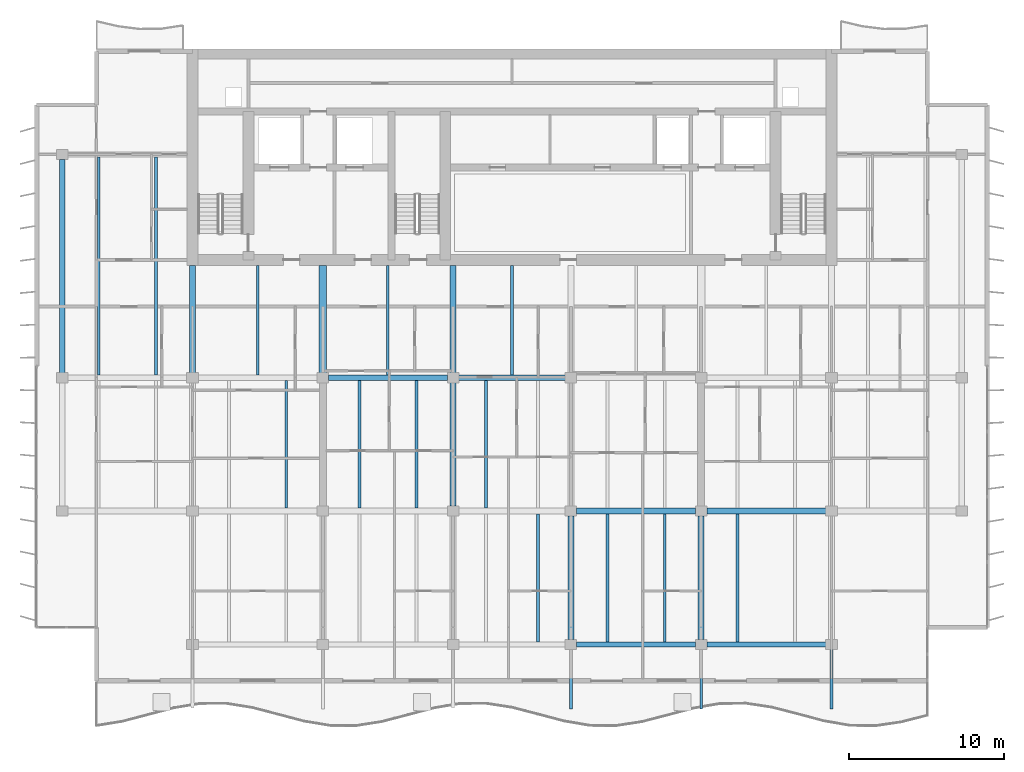
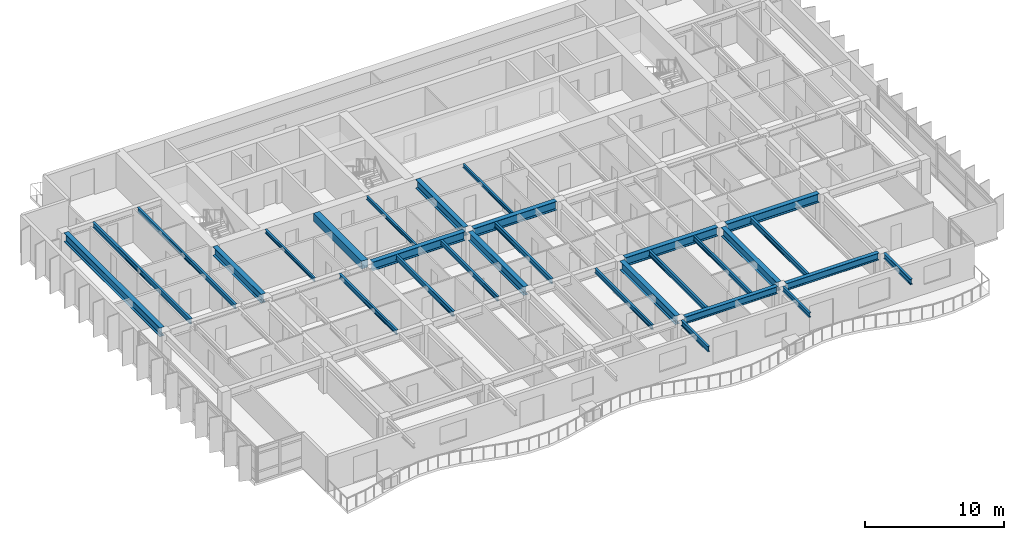
# One storey, part 3 of 17: 29 beams.
"""IFC4 building model written with IfcOpenShell, lengths in metres."""

import ifcopenshell
import ifcopenshell.guid

model = None  # the IFC model being written
_history = None  # IfcOwnerHistory: only IFC2X3 demands one
_inside = {}  # id of a spatial element -> (the spatial element, [elements in it])
_under = {}  # id of a project, library or spatial element -> (it, [spatial elements below it])
_declared = {}  # id of a project -> (the project, [libraries it declares])
_typed = {}  # id of a type object -> (the type object, [elements of that type])
_made_of = {}  # id of a material, layer set ... -> (it, [elements and type objects made of it])


def new_model(schema):
    """Start an empty IFC model of exactly this schema.

    Asked for "IFC4X3", IfcOpenShell would pick the latest addendum, in which some entities
    have other attributes; the version numbers below select the first issue.
    IFC2X3 requires an IfcOwnerHistory on every rooted entity: one is made here for all.
    """
    global model, _history
    if schema == "IFC4X3":
        model = ifcopenshell.file(schema_version=(4, 3, 0, 0))
    else:
        model = ifcopenshell.file(schema=schema)
    _inside.clear()
    _under.clear()
    _declared.clear()
    _typed.clear()
    _made_of.clear()
    _history = None
    if model.schema == "IFC2X3":
        org = make("IfcOrganization", Name="unknown")
        user = make(
            "IfcPersonAndOrganization",
            ThePerson=make("IfcPerson", FamilyName="unknown"),
            TheOrganization=org,
        )
        app = make(
            "IfcApplication",
            ApplicationDeveloper=org,
            Version="unknown",
            ApplicationFullName="unknown",
            ApplicationIdentifier="unknown",
        )
        _history = make(
            "IfcOwnerHistory",
            OwningUser=user,
            OwningApplication=app,
            ChangeAction="ADDED",
            CreationDate=0,
        )
    return model


def make(cls, **values):
    """One entity of the class cls with the attributes given. An attribute that is None is left unset."""
    return model.create_entity(
        cls, **{name: value for name, value in values.items() if value is not None}
    )


def rooted(cls, **values):
    """An entity with a GlobalId (a new one), such as an element, a storey or a relation."""
    return make(cls, GlobalId=ifcopenshell.guid.new(), OwnerHistory=_history, **values)


def si_unit(unit_type, name, prefix=None):
    """IfcSIUnit, for example si_unit("LENGTHUNIT", "METRE", prefix="MILLI")."""
    return make("IfcSIUnit", UnitType=unit_type, Prefix=prefix, Name=name)


def assignment(units):
    """IfcUnitAssignment: the units of a project."""
    return None if units is None else make("IfcUnitAssignment", Units=units)


def point(xyz):
    """IfcCartesianPoint."""
    return None if xyz is None else make("IfcCartesianPoint", Coordinates=xyz)


def direction(xyz):
    """IfcDirection."""
    return None if xyz is None else make("IfcDirection", DirectionRatios=xyz)


def frame(location, z_axis=None, x_axis=None):
    """IfcAxis2Placement3D, a coordinate frame: its origin and axes. An axis left out is left unset."""
    return make(
        "IfcAxis2Placement3D",
        Location=point(location),
        Axis=direction(z_axis),
        RefDirection=direction(x_axis),
    )


def frame_2d(location, x_axis=None):
    """IfcAxis2Placement2D, a coordinate frame in the plane: its origin and x axis."""
    return make(
        "IfcAxis2Placement2D", Location=point(location), RefDirection=direction(x_axis)
    )


def origin():
    """The frame at (0, 0, 0) with its axes left unset."""
    return frame((0.0, 0.0, 0.0))


def origin_2d():
    """The frame at (0, 0) in the plane with its x axis left unset."""
    return frame_2d((0.0, 0.0))


def place(relative_to, where):
    """IfcLocalPlacement: puts the frame where relative to a parent placement (None: the world)."""
    return make(
        "IfcLocalPlacement", PlacementRelTo=relative_to, RelativePlacement=where
    )


def context(
    kind, dimensions, precision=None, world=None, true_north=None, identifier=None
):
    """IfcGeometricRepresentationContext, for example the 3D "Model" context."""
    return make(
        "IfcGeometricRepresentationContext",
        ContextIdentifier=identifier,
        ContextType=kind,
        CoordinateSpaceDimension=dimensions,
        Precision=precision,
        WorldCoordinateSystem=world,
        TrueNorth=true_north,
    )


def subcontext(parent, identifier, kind, view, scale=None):
    """IfcGeometricRepresentationSubContext, for example "Body" below "Model"."""
    return make(
        "IfcGeometricRepresentationSubContext",
        ContextIdentifier=identifier,
        ContextType=kind,
        ParentContext=parent,
        TargetScale=scale,
        TargetView=view,
    )


def project(units=None, contexts=None):
    """IfcProject with its units and contexts."""
    return rooted(
        "IfcProject",
        Name="project",
        RepresentationContexts=contexts,
        UnitsInContext=assignment(units),
    )


def spatial(cls, under=None, at=None, **own):
    """A site, building, storey or space (cls), placed at a placement, below another one or the project."""
    s = rooted(cls, ObjectPlacement=at, **own)
    if under is not None:
        _under.setdefault(under.id(), (under, []))[1].append(s)
    return s


def profile(cls, at=None, kind="AREA", **sizes):
    """A parametric profile (cls). Its sizes go by their IFC names, for example OverallWidth=200.0."""
    return make(cls, ProfileType=kind, Position=at, **sizes)


def rectangle(**sizes):
    """IfcRectangleProfileDef."""
    return profile("IfcRectangleProfileDef", **sizes)


def i_section(**sizes):
    """IfcIShapeProfileDef."""
    return profile("IfcIShapeProfileDef", **sizes)


def extrude(swept, where, along, depth):
    """IfcExtrudedAreaSolid: the profile swept, set in the frame where, extruded along a direction by depth."""
    return make(
        "IfcExtrudedAreaSolid",
        SweptArea=swept,
        Position=where,
        ExtrudedDirection=direction(along),
        Depth=depth,
    )


def shape(context_of_items, identifier, shape_type, items):
    """IfcShapeRepresentation: the items that make up one representation, for example the "Body"."""
    return make(
        "IfcShapeRepresentation",
        ContextOfItems=context_of_items,
        RepresentationIdentifier=identifier,
        RepresentationType=shape_type,
        Items=items,
    )


def material(Name=None, Category=None):
    """IfcMaterial."""
    return make("IfcMaterial", Name=Name, Category=Category)


def material_profile(
    of_material, cross_section, Name=None, Category=None, Priority=None
):
    """IfcMaterialProfile: a cross section and its material."""
    return make(
        "IfcMaterialProfile",
        Name=Name,
        Material=of_material,
        Profile=cross_section,
        Priority=Priority,
        Category=Category,
    )


def profile_set(profiles, Name=None, composite=None):
    """IfcMaterialProfileSet."""
    return make(
        "IfcMaterialProfileSet",
        Name=Name,
        MaterialProfiles=profiles,
        CompositeProfile=composite,
    )


def made_of(thing, what):
    """Note that an element or type object is made of a material, layer set ...; save() writes the relation."""
    if what is not None:
        _made_of.setdefault(what.id(), (what, []))[1].append(thing)
    return thing


def type_object(cls, material=None, **own):
    """A type object (cls), such as IfcWallType, which elements share."""
    return made_of(rooted(cls, **own), material)


def element(
    cls,
    number,
    at=None,
    inside=None,
    cuts=None,
    type_object=None,
    material=None,
    context=None,
    identifier="Body",
    shape_type=None,
    held_by="IfcProductDefinitionShape",
    body=None,
    shapes=None,
    **own,
):
    """One element of the class cls, such as IfcWall. Its Tag is "e" and its number.

    at: its placement. inside: the storey or other place that contains it. cuts: it is an
    opening in that element (IfcRelVoidsElement). A single representation is given by context,
    identifier, shape_type and body (its items); several are given by shapes. held_by: the class
    of the entity that holds the representations. save() writes the other relations.
    """
    e = rooted(cls, Tag="e%d" % number, ObjectPlacement=at, **own)
    if body is not None:
        shapes = [shape(context, identifier, shape_type, body)]
    if shapes is not None:
        e.Representation = make(held_by, Representations=shapes)
    if inside is not None:
        _inside.setdefault(inside.id(), (inside, []))[1].append(e)
    if cuts is not None:
        rooted(
            "IfcRelVoidsElement", RelatingBuildingElement=cuts, RelatedOpeningElement=e
        )
    if type_object is not None:
        _typed.setdefault(type_object.id(), (type_object, []))[1].append(e)
    return made_of(e, material)


def aggregate(whole, parts):
    """IfcRelAggregates: a whole, such as a stair, and the parts it consists of."""
    return rooted("IfcRelAggregates", RelatingObject=whole, RelatedObjects=parts)


def save(model, path):
    """Write the relations noted so far, then the file.

    IfcRelAggregates (storeys below a building ...), IfcRelContainedInSpatialStructure (elements
    in a storey), IfcRelDefinesByType, IfcRelAssociatesMaterial and IfcRelDeclares: one each for
    every whole, place, type object, material and project.
    """
    for whole, parts in _under.values():
        aggregate(whole, parts)
    for where, things in _inside.values():
        rooted(
            "IfcRelContainedInSpatialStructure",
            RelatedElements=things,
            RelatingStructure=where,
        )
    for kind, things in _typed.values():
        rooted("IfcRelDefinesByType", RelatedObjects=things, RelatingType=kind)
    for what, things in _made_of.values():
        rooted("IfcRelAssociatesMaterial", RelatedObjects=things, RelatingMaterial=what)
    for by, libraries in _declared.values():
        rooted("IfcRelDeclares", RelatingContext=by, RelatedDefinitions=libraries)
    model.write(path)


model = new_model("IFC4")

# Units and contexts
model_context = context("Model", 3, precision=1e-05, world=origin(), true_north=direction((0.0, 1.0)))
body_context = subcontext(model_context, "Body", "Model", "MODEL_VIEW")
ifc_project = project(units=[si_unit("LENGTHUNIT", "METRE"), si_unit("AREAUNIT", "SQUARE_METRE"), si_unit("VOLUMEUNIT", "CUBIC_METRE"), si_unit("PLANEANGLEUNIT", "RADIAN"), si_unit("MASSUNIT", "GRAM", prefix="KILO")], contexts=[model_context])

# Site, building, storey
site_placement = place(None, origin())
site = spatial("IfcSite", under=ifc_project, at=site_placement, CompositionType="ELEMENT")
building_placement = place(site_placement, origin())
building = spatial("IfcBuilding", under=site, at=building_placement, Name="Caelmar Bay Residences", CompositionType="ELEMENT")
storey_placement = place(building_placement, frame((0.0, 0.0, 236.39990234375)))
storey = spatial("IfcBuildingStorey", under=building, at=storey_placement, Name="L66", CompositionType="ELEMENT", Elevation=236.39990234375)

# Beams
ifc_material_1 = material(Name="Steel ASTM A992 Grade 50", Category="steel")
ifc_material_profile_1 = material_profile(ifc_material_1, i_section(OverallWidth=0.177978515625, OverallDepth=0.406005859375, WebThickness=0.0078125, FlangeThickness=0.0126953125, FilletRadius=0.0087890625, at=origin_2d()), Name="W16X40")
ifc_profile_set_1 = profile_set([ifc_material_profile_1], Name="Steel ASTM A992 Grade 50")
beam_type_1 = type_object("IfcBeamType", Name="BM-BAL-W16X40", PredefinedType="JOIST", material=ifc_profile_set_1)
for number, where, z_axis, x_axis, name in (
    (1, (40.572021484375, 12.362548828125, 2.84716796875), (0.0, 1.0, 0.0), (-1.0, 0.0, 0.0), "L66 Composite Floor Joist 6"),
    (2, (48.748046875, 12.362548828125, 2.84716796875), (0.0, 1.0, 0.0), (-1.0, 0.0, 0.0), "L66 Composite Floor Joist 8"),
):
    element("IfcBeam", number, at=place(storey_placement, frame(where, z_axis=z_axis, x_axis=x_axis)), inside=storey, type_object=beam_type_1, Name=name, PredefinedType="JOIST", context=body_context, shape_type="SweptSolid", body=[
        extrude(i_section(OverallWidth=0.177978515625, OverallDepth=0.406005859375, WebThickness=0.0078125, FlangeThickness=0.0126953125, FilletRadius=0.0087890625, at=origin_2d()), origin(), (0.0, 0.0, 1.0), 8.2470703125),
    ])
for number, where, z_axis, x_axis, name in (
    (3, (24.347900390625, 20.990478515625, 2.84716796875), (0.0, 1.0, 0.0), (-1.0, 0.0, 0.0), "L66 Composite Floor Joist 14"),
    (4, (32.748046875, 20.990478515625, 2.84716796875), (0.0, 1.0, 0.0), (-1.0, 0.0, 0.0), "L66 Composite Floor Joist 16"),
):
    element("IfcBeam", number, at=place(storey_placement, frame(where, z_axis=z_axis, x_axis=x_axis)), inside=storey, type_object=beam_type_1, Name=name, PredefinedType="JOIST", context=body_context, shape_type="SweptSolid", body=[
        extrude(i_section(OverallWidth=0.177978515625, OverallDepth=0.406005859375, WebThickness=0.0078125, FlangeThickness=0.0126953125, FilletRadius=0.0087890625, at=origin_2d()), origin(), (0.0, 0.0, 1.0), 8.218994140625),
    ])
beam_1_placement = place(storey_placement, frame((15.947998046875, 29.590576171875, 2.84716796875), z_axis=(0.0, 1.0, 0.0), x_axis=(-1.0, 0.0, 0.0)))
element("IfcBeam", 5, at=beam_1_placement, inside=storey, type_object=beam_type_1, Name="L66 Composite Floor Joist 31", PredefinedType="JOIST", context=body_context, shape_type="SweptSolid", body=[
    extrude(i_section(OverallWidth=0.177978515625, OverallDepth=0.406005859375, WebThickness=0.0078125, FlangeThickness=0.0126953125, FilletRadius=0.0087890625, at=origin_2d()), origin(), (0.0, 0.0, 1.0), 14.046875),
])
beam_2_placement = place(storey_placement, frame((51.10009765625, 11.885009765625, 2.84716796875), z_axis=(0.0, -1.0, 0.0), x_axis=(1.0, 0.0, 0.0)))
element("IfcBeam", 6, at=beam_2_placement, inside=storey, type_object=beam_type_1, Name="L67 South Balcony Cantilever Bracket 5", PredefinedType="JOIST", context=body_context, shape_type="SweptSolid", body=[
    extrude(i_section(OverallWidth=0.177978515625, OverallDepth=0.406005859375, WebThickness=0.0078125, FlangeThickness=0.0126953125, FilletRadius=0.0087890625, at=origin_2d()), origin(), (0.0, 0.0, 1.0), 3.85009765625),
])
ifc_material_profile_2 = material_profile(ifc_material_1, i_section(OverallWidth=0.193115234375, OverallDepth=0.467041015625, WebThickness=0.011474609375, FlangeThickness=0.01904296875, FilletRadius=0.01025390625, at=origin_2d()), Name="W18X65")
ifc_profile_set_2 = profile_set([ifc_material_profile_2], Name="Steel ASTM A992 Grade 50")
beam_type_2 = type_object("IfcBeamType", Name="BM-BAL-W18X65", PredefinedType="BEAM", material=ifc_profile_set_2)
for number, where, z_axis, x_axis, name in (
    (7, (42.699951171875, 11.885009765625, 2.816650390625), (0.0, -1.0, 0.0), (1.0, 0.0, 0.0), "L67 South Balcony Cantilever Bracket 4"),
    (8, (59.5, 11.885009765625, 2.816650390625), (0.0, -1.0, 0.0), (1.0, 0.0, 0.0), "L67 South Balcony Cantilever Bracket 6"),
):
    element("IfcBeam", number, at=place(storey_placement, frame(where, z_axis=z_axis, x_axis=x_axis)), inside=storey, type_object=beam_type_2, Name=name, PredefinedType="BEAM", context=body_context, shape_type="SweptSolid", body=[
        extrude(i_section(OverallWidth=0.193115234375, OverallDepth=0.467041015625, WebThickness=0.011474609375, FlangeThickness=0.01904296875, FilletRadius=0.01025390625, at=origin_2d()), origin(), (0.0, 0.0, 1.0), 3.85009765625),
    ])
ifc_material_profile_3 = material_profile(ifc_material_1, i_section(OverallWidth=0.381103515625, OverallDepth=0.77197265625, WebThickness=0.0166015625, FlangeThickness=0.027099609375, FilletRadius=0.0166015625, at=origin_2d()), Name="W30X173")
ifc_profile_set_3 = profile_set([ifc_material_profile_3], Name="Steel ASTM A992 Grade 50")
beam_type_3 = type_object("IfcBeamType", Name="BM-GRD-W30X173", PredefinedType="BEAM", material=ifc_profile_set_3)
beam_3_placement = place(storey_placement, frame((43.06494140625, 20.800048828125, 2.6640625), z_axis=(1.0, 0.0, 0.0), x_axis=(0.0, 1.0, 0.0)))
element("IfcBeam", 9, at=beam_3_placement, inside=storey, type_object=beam_type_3, Name="L66 East-West Girder Y=20.80 (42.7-51.1)", PredefinedType="BEAM", context=body_context, shape_type="SweptSolid", body=[
    extrude(i_section(OverallWidth=0.381103515625, OverallDepth=0.77197265625, WebThickness=0.0166015625, FlangeThickness=0.027099609375, FilletRadius=0.0166015625, at=origin_2d()), origin(), (0.0, 0.0, 1.0), 7.670166015625),
])
beam_4_placement = place(storey_placement, frame((51.465087890625, 20.800048828125, 2.6640625), z_axis=(1.0, 0.0, 0.0), x_axis=(0.0, 1.0, 0.0)))
element("IfcBeam", 10, at=beam_4_placement, inside=storey, type_object=beam_type_3, Name="L66 East-West Girder Y=20.80 (51.1-59.5)", PredefinedType="BEAM", context=body_context, shape_type="SweptSolid", body=[
    extrude(i_section(OverallWidth=0.381103515625, OverallDepth=0.77197265625, WebThickness=0.0166015625, FlangeThickness=0.027099609375, FilletRadius=0.0166015625, at=origin_2d()), origin(), (0.0, 0.0, 1.0), 7.669921875),
])
beam_5_placement = place(storey_placement, frame((27.06494140625, 29.39990234375, 2.6640625), z_axis=(1.0, 0.0, 0.0), x_axis=(0.0, 1.0, 0.0)))
element("IfcBeam", 11, at=beam_5_placement, inside=storey, type_object=beam_type_3, Name="L66 East-West Girder Y=29.40 (26.7-35.1)", PredefinedType="BEAM", context=body_context, shape_type="SweptSolid", body=[
    extrude(i_section(OverallWidth=0.381103515625, OverallDepth=0.77197265625, WebThickness=0.0166015625, FlangeThickness=0.027099609375, FilletRadius=0.0166015625, at=origin_2d()), origin(), (0.0, 0.0, 1.0), 7.670166015625),
])
beam_6_placement = place(storey_placement, frame((35.465087890625, 29.39990234375, 2.6640625), z_axis=(1.0, 0.0, 0.0), x_axis=(0.0, 1.0, 0.0)))
element("IfcBeam", 12, at=beam_6_placement, inside=storey, type_object=beam_type_3, Name="L66 East-West Girder Y=29.40 (35.1-42.7)", PredefinedType="BEAM", context=body_context, shape_type="SweptSolid", body=[
    extrude(i_section(OverallWidth=0.381103515625, OverallDepth=0.77197265625, WebThickness=0.0166015625, FlangeThickness=0.027099609375, FilletRadius=0.0166015625, at=origin_2d()), origin(), (0.0, 0.0, 1.0), 6.869873046875),
])
beam_7_placement = place(storey_placement, frame((9.89990234375, 29.715087890625, 2.6640625), z_axis=(0.0, 1.0, 0.0), x_axis=(-1.0, 0.0, 0.0)))
element("IfcBeam", 13, at=beam_7_placement, inside=storey, type_object=beam_type_3, Name="L66 North-South Girder X=9.90 (29.4-43.8)", PredefinedType="BEAM", context=body_context, shape_type="SweptSolid", body=[
    extrude(i_section(OverallWidth=0.381103515625, OverallDepth=0.77197265625, WebThickness=0.0166015625, FlangeThickness=0.027099609375, FilletRadius=0.0166015625, at=origin_2d()), origin(), (0.0, 0.0, 1.0), 13.77001953125),
])
for number, where, z_axis, x_axis, name in (
    (14, (18.300048828125, 29.715087890625, 2.6640625), (0.0, 1.0, 0.0), (-1.0, 0.0, 0.0), "L66 Core Tie Girder X=18.30"),
    (15, (35.10009765625, 29.715087890625, 2.6640625), (0.0, 1.0, 0.0), (-1.0, 0.0, 0.0), "L66 Core Tie Girder X=35.10"),
):
    element("IfcBeam", number, at=place(storey_placement, frame(where, z_axis=z_axis, x_axis=x_axis)), inside=storey, type_object=beam_type_3, Name=name, PredefinedType="BEAM", context=body_context, shape_type="SweptSolid", body=[
        extrude(i_section(OverallWidth=0.381103515625, OverallDepth=0.77197265625, WebThickness=0.0166015625, FlangeThickness=0.027099609375, FilletRadius=0.0166015625, at=origin_2d()), origin(), (0.0, 0.0, 1.0), 6.934814453125),
    ])
beam_8_placement = place(storey_placement, frame((35.10009765625, 21.114990234375, 2.6640625), z_axis=(0.0, 1.0, 0.0), x_axis=(-1.0, 0.0, 0.0)))
element("IfcBeam", 16, at=beam_8_placement, inside=storey, type_object=beam_type_3, Name="L66 North-South Girder X=35.10 (20.8-29.4)", PredefinedType="BEAM", context=body_context, shape_type="SweptSolid", body=[
    extrude(i_section(OverallWidth=0.381103515625, OverallDepth=0.77197265625, WebThickness=0.0166015625, FlangeThickness=0.027099609375, FilletRadius=0.0166015625, at=origin_2d()), origin(), (0.0, 0.0, 1.0), 7.969970703125),
])
for number, where, z_axis, x_axis, name in (
    (17, (42.699951171875, 12.514892578125, 2.6640625), (0.0, 1.0, 0.0), (-1.0, 0.0, 0.0), "L66 North-South Girder X=42.70 (12.2-20.8)"),
    (18, (51.10009765625, 12.514892578125, 2.6640625), (0.0, 1.0, 0.0), (-1.0, 0.0, 0.0), "L66 North-South Girder X=51.10 (12.2-20.8)"),
):
    element("IfcBeam", number, at=place(storey_placement, frame(where, z_axis=z_axis, x_axis=x_axis)), inside=storey, type_object=beam_type_3, Name=name, PredefinedType="BEAM", context=body_context, shape_type="SweptSolid", body=[
        extrude(i_section(OverallWidth=0.381103515625, OverallDepth=0.77197265625, WebThickness=0.0166015625, FlangeThickness=0.027099609375, FilletRadius=0.0166015625, at=origin_2d()), origin(), (0.0, 0.0, 1.0), 7.97021484375),
    ])
ifc_material_profile_4 = material_profile(ifc_material_1, i_section(OverallWidth=0.1650390625, OverallDepth=0.31005859375, WebThickness=0.005859375, FlangeThickness=0.009765625, FilletRadius=0.007568359375, at=origin_2d()), Name="W12X26")
ifc_profile_set_4 = profile_set([ifc_material_profile_4], Name="Steel ASTM A992 Grade 50")
beam_type_4 = type_object("IfcBeamType", Name="BM-JST-W12X26", PredefinedType="JOIST", material=ifc_profile_set_4)
for number, where, z_axis, x_axis, name in (
    (19, (22.5, 29.590576171875, 2.89501953125), (0.0, 1.0, 0.0), (-1.0, 0.0, 0.0), "L66 Core-Band Composite Joist 25"),
    (20, (30.89990234375, 29.590576171875, 2.89501953125), (0.0, 1.0, 0.0), (-1.0, 0.0, 0.0), "L66 Core-Band Composite Joist 26"),
    (21, (38.89990234375, 29.590576171875, 2.89501953125), (0.0, 1.0, 0.0), (-1.0, 0.0, 0.0), "L66 Core-Band Composite Joist 27"),
):
    element("IfcBeam", number, at=place(storey_placement, frame(where, z_axis=z_axis, x_axis=x_axis)), inside=storey, type_object=beam_type_4, Name=name, PredefinedType="JOIST", context=body_context, shape_type="SweptSolid", body=[
        extrude(i_section(OverallWidth=0.1650390625, OverallDepth=0.31005859375, WebThickness=0.005859375, FlangeThickness=0.009765625, FilletRadius=0.007568359375, at=origin_2d()), origin(), (0.0, 0.0, 1.0), 7.059326171875),
    ])
ifc_material_profile_5 = material_profile(ifc_material_1, i_section(OverallWidth=0.19091796875, OverallDepth=0.45703125, WebThickness=0.009033203125, FlangeThickness=0.014404296875, FilletRadius=0.01025390625, at=origin_2d()), Name="W18X50")
ifc_profile_set_5 = profile_set([ifc_material_profile_5], Name="Steel ASTM A992 Grade 50")
beam_type_5 = type_object("IfcBeamType", Name="BM-JST-W18X50", PredefinedType="JOIST", material=ifc_profile_set_5)
for number, where, z_axis, x_axis, name in (
    (22, (45.052001953125, 12.362548828125, 2.821533203125), (0.0, 1.0, 0.0), (-1.0, 0.0, 0.0), "L66 Composite Floor Joist 7"),
    (23, (53.451904296875, 12.362548828125, 2.821533203125), (0.0, 1.0, 0.0), (-1.0, 0.0, 0.0), "L66 Composite Floor Joist 9"),
):
    element("IfcBeam", number, at=place(storey_placement, frame(where, z_axis=z_axis, x_axis=x_axis)), inside=storey, type_object=beam_type_5, Name=name, PredefinedType="JOIST", context=body_context, shape_type="SweptSolid", body=[
        extrude(i_section(OverallWidth=0.19091796875, OverallDepth=0.45703125, WebThickness=0.009033203125, FlangeThickness=0.014404296875, FilletRadius=0.01025390625, at=origin_2d()), origin(), (0.0, 0.0, 1.0), 8.2470703125),
    ])
for number, where, z_axis, x_axis, name in (
    (24, (29.052001953125, 20.990478515625, 2.821533203125), (0.0, 1.0, 0.0), (-1.0, 0.0, 0.0), "L66 Composite Floor Joist 15"),
    (25, (37.22802734375, 20.990478515625, 2.821533203125), (0.0, 1.0, 0.0), (-1.0, 0.0, 0.0), "L66 Composite Floor Joist 17"),
):
    element("IfcBeam", number, at=place(storey_placement, frame(where, z_axis=z_axis, x_axis=x_axis)), inside=storey, type_object=beam_type_5, Name=name, PredefinedType="JOIST", context=body_context, shape_type="SweptSolid", body=[
        extrude(i_section(OverallWidth=0.19091796875, OverallDepth=0.45703125, WebThickness=0.009033203125, FlangeThickness=0.014404296875, FilletRadius=0.01025390625, at=origin_2d()), origin(), (0.0, 0.0, 1.0), 8.218994140625),
    ])
beam_9_placement = place(storey_placement, frame((12.251953125, 29.590576171875, 2.821533203125), z_axis=(0.0, 1.0, 0.0), x_axis=(-1.0, 0.0, 0.0)))
element("IfcBeam", 26, at=beam_9_placement, inside=storey, type_object=beam_type_5, Name="L66 Composite Floor Joist 30", PredefinedType="JOIST", context=body_context, shape_type="SweptSolid", body=[
    extrude(i_section(OverallWidth=0.19091796875, OverallDepth=0.45703125, WebThickness=0.009033203125, FlangeThickness=0.014404296875, FilletRadius=0.01025390625, at=origin_2d()), origin(), (0.0, 0.0, 1.0), 14.046875),
])
ifc_material_2 = material(Name="Concrete f'c 55 MPa (8,000 psi)", Category="concrete")
ifc_material_profile_6 = material_profile(ifc_material_2, rectangle(XDim=0.5, YDim=0.699951171875, at=origin_2d()), Name="RC-BM-500X700")
ifc_profile_set_6 = profile_set([ifc_material_profile_6], Name="Concrete f'c 55 MPa (8,000 psi)")
beam_type_6 = type_object("IfcBeamType", Name="BM-RC-500X700", PredefinedType="LINTEL", material=ifc_profile_set_6)
beam_10_placement = place(storey_placement, frame((26.699951171875, 29.715087890625, 2.7001953125), z_axis=(0.0, 1.0, 0.0), x_axis=(-1.0, 0.0, 0.0)))
element("IfcBeam", 27, at=beam_10_placement, inside=storey, type_object=beam_type_6, Name="L66 Shear-Wall Corridor Coupling Lintel W5", PredefinedType="LINTEL", context=body_context, shape_type="SweptSolid", body=[
    extrude(rectangle(XDim=0.5, YDim=0.699951171875, at=origin_2d()), origin(), (0.0, 0.0, 1.0), 6.934814453125),
])
ifc_material_profile_7 = material_profile(ifc_material_1, i_section(OverallWidth=0.324951171875, OverallDepth=0.616943359375, WebThickness=0.013916015625, FlangeThickness=0.021484375, FilletRadius=0.0126953125, at=origin_2d()), Name="W24X117")
ifc_profile_set_7 = profile_set([ifc_material_profile_7], Name="Steel ASTM A992 Grade 50")
beam_type_7 = type_object("IfcBeamType", Name="BM-SPN-W24X117", PredefinedType="SPANDREL", material=ifc_profile_set_7)
beam_11_placement = place(storey_placement, frame((43.06494140625, 12.199951171875, 2.74169921875), z_axis=(1.0, 0.0, 0.0), x_axis=(0.0, 1.0, 0.0)))
element("IfcBeam", 28, at=beam_11_placement, inside=storey, type_object=beam_type_7, Name="L66 East-West Girder Y=12.20 (42.7-51.1)", PredefinedType="SPANDREL", context=body_context, shape_type="SweptSolid", body=[
    extrude(i_section(OverallWidth=0.324951171875, OverallDepth=0.616943359375, WebThickness=0.013916015625, FlangeThickness=0.021484375, FilletRadius=0.0126953125, at=origin_2d()), origin(), (0.0, 0.0, 1.0), 7.670166015625),
])
beam_12_placement = place(storey_placement, frame((51.465087890625, 12.199951171875, 2.74169921875), z_axis=(1.0, 0.0, 0.0), x_axis=(0.0, 1.0, 0.0)))
element("IfcBeam", 29, at=beam_12_placement, inside=storey, type_object=beam_type_7, Name="L66 East-West Girder Y=12.20 (51.1-59.5)", PredefinedType="SPANDREL", context=body_context, shape_type="SweptSolid", body=[
    extrude(i_section(OverallWidth=0.324951171875, OverallDepth=0.616943359375, WebThickness=0.013916015625, FlangeThickness=0.021484375, FilletRadius=0.0126953125, at=origin_2d()), origin(), (0.0, 0.0, 1.0), 7.669921875),
])

save(model, "model.ifc")
